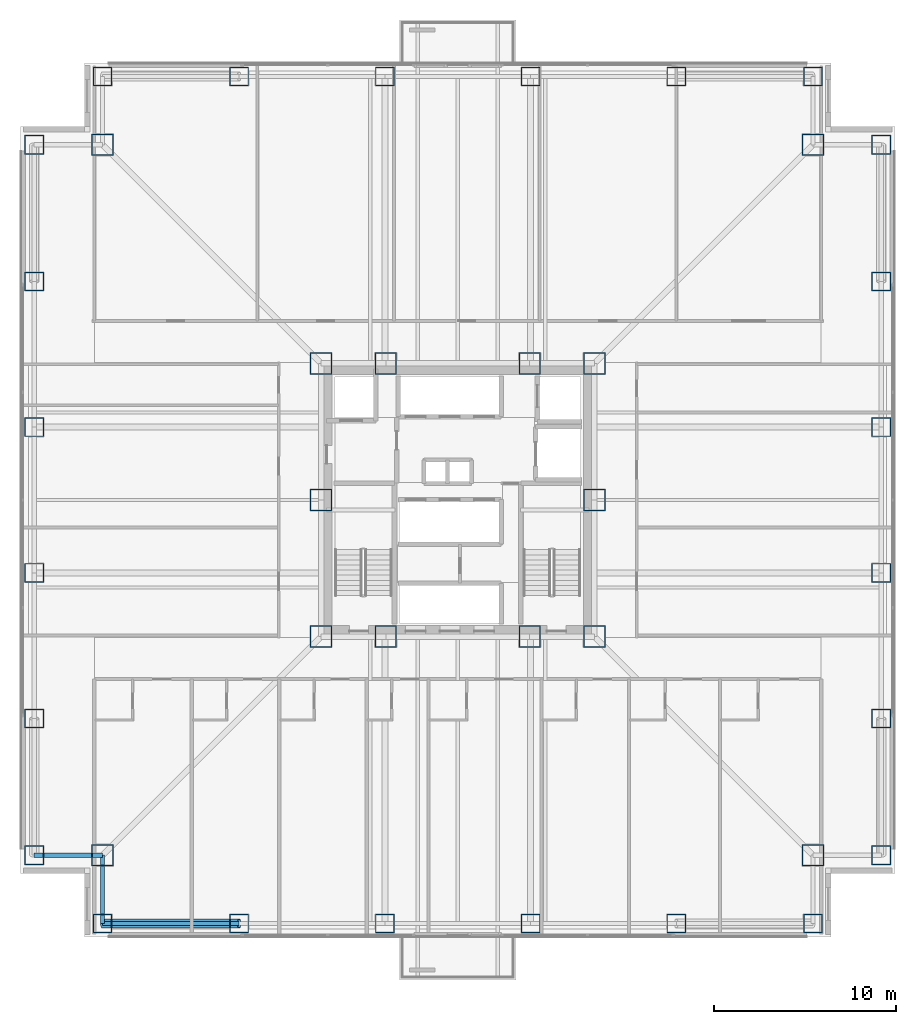
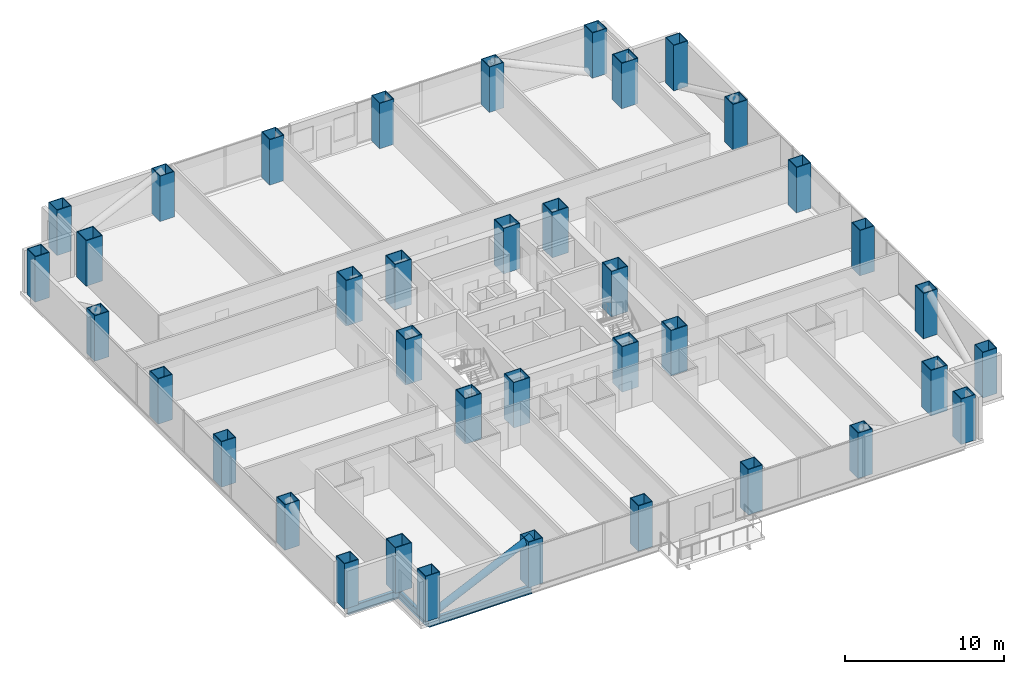
# One storey, part 1 of 16: 38 columns, 3 beams, 1 member.
"""IFC4 building model written with IfcOpenShell, lengths in metres."""

from ifc_helpers import new_model, si_unit, direction, frame, origin, origin_2d, place, context, subcontext, project, spatial, hollow_rectangle, hollow_circle, i_section, extrude, material, material_profile, profile_set, type_object, element, save


model = new_model("IFC4")

# Units and contexts
model_context = context("Model", 3, precision=1e-05, world=origin(), true_north=direction((0.0, 1.0)))
body_context = subcontext(model_context, "Body", "Model", "MODEL_VIEW")
ifc_project = project(units=[si_unit("LENGTHUNIT", "METRE"), si_unit("AREAUNIT", "SQUARE_METRE"), si_unit("VOLUMEUNIT", "CUBIC_METRE"), si_unit("PLANEANGLEUNIT", "RADIAN"), si_unit("MASSUNIT", "GRAM", prefix="KILO")], contexts=[model_context])

# Site, building, storey
site_placement = place(None, origin())
site = spatial("IfcSite", under=ifc_project, at=site_placement, CompositionType="ELEMENT")
building_placement = place(site_placement, origin())
building = spatial("IfcBuilding", under=site, at=building_placement, Name="Trevonay Congress Spire", CompositionType="ELEMENT")
storey_placement = place(building_placement, frame((0.0, 0.0, 65.5)))
storey = spatial("IfcBuildingStorey", under=building, at=storey_placement, Name="L16", CompositionType="ELEMENT", Elevation=65.5)

# Columns
ifc_material = material(Name="Steel ASTM A572 Grade 50", Category="steel")
ifc_material_profile_1 = material_profile(ifc_material, hollow_rectangle(XDim=1.199951171875, YDim=1.199951171875, WallThickness=0.054931640625, at=origin_2d()), Name="BOX 1200x1200x55")
ifc_profile_set_1 = profile_set([ifc_material_profile_1], Name="Steel ASTM A572 Grade 50")
column_type_1 = type_object("IfcColumnType", Name="COL-CORE-BOX1200", PredefinedType="COLUMN", material=ifc_profile_set_1)
for number, where, z_axis, x_axis, name in (
    (1, (-7.5, -7.5, 0.0), (0.0, 0.0, 1.0), (1.0, 0.0, 0.0), "L16 column C02 at CC-SW"),
    (2, (-3.949951171875, -7.5, 0.0), (0.0, 0.0, 1.0), (1.0, 0.0, 0.0), "L16 column C02 at CC-SMW"),
    (3, (3.949951171875, -7.5, 0.0), (0.0, 0.0, 1.0), (1.0, 0.0, 0.0), "L16 column C02 at CC-SME"),
    (4, (7.5, -7.5, 0.0), (0.0, 0.0, 1.0), (1.0, 0.0, 0.0), "L16 column C02 at CC-SE"),
    (5, (7.5, 0.0, 0.0), (0.0, 0.0, 1.0), (1.0, 0.0, 0.0), "L16 column C02 at CC-E"),
    (6, (7.5, 7.5, 0.0), (0.0, 0.0, 1.0), (1.0, 0.0, 0.0), "L16 column C02 at CC-NE"),
    (7, (3.949951171875, 7.5, 0.0), (0.0, 0.0, 1.0), (1.0, 0.0, 0.0), "L16 column C02 at CC-NME"),
    (8, (-3.949951171875, 7.5, 0.0), (0.0, 0.0, 1.0), (1.0, 0.0, 0.0), "L16 column C02 at CC-NMW"),
    (9, (-7.5, 7.5, 0.0), (0.0, 0.0, 1.0), (1.0, 0.0, 0.0), "L16 column C02 at CC-NW"),
    (10, (-7.5, 0.0, 0.0), (0.0, 0.0, 1.0), (1.0, 0.0, 0.0), "L16 column C02 at CC-W"),
):
    element("IfcColumn", number, at=place(storey_placement, frame(where, z_axis=z_axis, x_axis=x_axis)), inside=storey, type_object=column_type_1, Name=name, PredefinedType="COLUMN", context=body_context, shape_type="SweptSolid", body=[
        extrude(hollow_rectangle(XDim=1.199951171875, YDim=1.199951171875, WallThickness=0.054931640625, at=origin_2d()), origin(), (0.0, 0.0, 1.0), 3.5),
    ])
ifc_material_profile_2 = material_profile(ifc_material, hollow_rectangle(XDim=1.199951171875, YDim=1.199951171875, WallThickness=0.054931640625, at=origin_2d()), Name="BOX 1200x1200x55")
ifc_profile_set_2 = profile_set([ifc_material_profile_2], Name="Steel ASTM A572 Grade 50")
column_type_2 = type_object("IfcColumnType", Name="COL-NOTCH-BOX1200", PredefinedType="COLUMN", material=ifc_profile_set_2)
for number, where, z_axis, x_axis, name in (
    (11, (-19.5, -19.5, 0.0), (0.0, 0.0, 1.0), (1.0, 0.0, 0.0), "L16 column C19 at NC-SW"),
    (12, (19.5, -19.5, 0.0), (0.0, 0.0, 1.0), (1.0, 0.0, 0.0), "L16 column C19 at NC-SE"),
    (13, (19.5, 19.5, 0.0), (0.0, 0.0, 1.0), (1.0, 0.0, 0.0), "L16 column C19 at NC-NE"),
    (14, (-19.5, 19.5, 0.0), (0.0, 0.0, 1.0), (1.0, 0.0, 0.0), "L16 column C19 at NC-NW"),
):
    element("IfcColumn", number, at=place(storey_placement, frame(where, z_axis=z_axis, x_axis=x_axis)), inside=storey, type_object=column_type_2, Name=name, PredefinedType="COLUMN", context=body_context, shape_type="SweptSolid", body=[
        extrude(hollow_rectangle(XDim=1.199951171875, YDim=1.199951171875, WallThickness=0.054931640625, at=origin_2d()), origin(), (0.0, 0.0, 1.0), 3.5),
    ])
ifc_material_profile_3 = material_profile(ifc_material, hollow_rectangle(XDim=1.050048828125, YDim=1.050048828125, WallThickness=0.050048828125, at=origin_2d()), Name="BOX 1050x1050x50")
ifc_profile_set_3 = profile_set([ifc_material_profile_3], Name="Steel ASTM A572 Grade 50")
column_type_3 = type_object("IfcColumnType", Name="COL-TUBE-BOX1050", PredefinedType="COLUMN", material=ifc_profile_set_3)
for number, where, z_axis, x_axis, name in (
    (15, (-19.5, -23.25, 0.0), (0.0, 0.0, 1.0), (1.0, 0.0, 0.0), "L16 column C14 at TS-1"),
    (16, (-19.5, 23.25, 0.0), (0.0, 0.0, 1.0), (1.0, 0.0, 0.0), "L16 column C14 at TN-1"),
    (17, (-23.25, -19.5, 0.0), (0.0, 0.0, 1.0), (1.0, 0.0, 0.0), "L16 column C14 at TW-1"),
    (18, (23.25, -19.5, 0.0), (0.0, 0.0, 1.0), (1.0, 0.0, 0.0), "L16 column C14 at TE-1"),
    (19, (-12.0, -23.25, 0.0), (0.0, 0.0, 1.0), (1.0, 0.0, 0.0), "L16 column C14 at TS-2"),
    (20, (-12.0, 23.25, 0.0), (0.0, 0.0, 1.0), (1.0, 0.0, 0.0), "L16 column C14 at TN-2"),
    (21, (-23.25, -12.0, 0.0), (0.0, 0.0, 1.0), (1.0, 0.0, 0.0), "L16 column C14 at TW-2"),
    (22, (23.25, -12.0, 0.0), (0.0, 0.0, 1.0), (1.0, 0.0, 0.0), "L16 column C14 at TE-2"),
    (23, (-4.0, -23.25, 0.0), (0.0, 0.0, 1.0), (1.0, 0.0, 0.0), "L16 column C14 at TS-3"),
    (24, (-4.0, 23.25, 0.0), (0.0, 0.0, 1.0), (1.0, 0.0, 0.0), "L16 column C14 at TN-3"),
    (25, (-23.25, -4.0, 0.0), (0.0, 0.0, 1.0), (1.0, 0.0, 0.0), "L16 column C14 at TW-3"),
    (26, (23.25, -4.0, 0.0), (0.0, 0.0, 1.0), (1.0, 0.0, 0.0), "L16 column C14 at TE-3"),
    (27, (4.0, -23.25, 0.0), (0.0, 0.0, 1.0), (1.0, 0.0, 0.0), "L16 column C14 at TS-4"),
    (28, (4.0, 23.25, 0.0), (0.0, 0.0, 1.0), (1.0, 0.0, 0.0), "L16 column C14 at TN-4"),
    (29, (-23.25, 4.0, 0.0), (0.0, 0.0, 1.0), (1.0, 0.0, 0.0), "L16 column C14 at TW-4"),
    (30, (23.25, 4.0, 0.0), (0.0, 0.0, 1.0), (1.0, 0.0, 0.0), "L16 column C14 at TE-4"),
    (31, (12.0, -23.25, 0.0), (0.0, 0.0, 1.0), (1.0, 0.0, 0.0), "L16 column C14 at TS-5"),
    (32, (12.0, 23.25, 0.0), (0.0, 0.0, 1.0), (1.0, 0.0, 0.0), "L16 column C14 at TN-5"),
    (33, (-23.25, 12.0, 0.0), (0.0, 0.0, 1.0), (1.0, 0.0, 0.0), "L16 column C14 at TW-5"),
    (34, (23.25, 12.0, 0.0), (0.0, 0.0, 1.0), (1.0, 0.0, 0.0), "L16 column C14 at TE-5"),
    (35, (19.5, -23.25, 0.0), (0.0, 0.0, 1.0), (1.0, 0.0, 0.0), "L16 column C14 at TS-6"),
    (36, (19.5, 23.25, 0.0), (0.0, 0.0, 1.0), (1.0, 0.0, 0.0), "L16 column C14 at TN-6"),
    (37, (-23.25, 19.5, 0.0), (0.0, 0.0, 1.0), (1.0, 0.0, 0.0), "L16 column C14 at TW-6"),
    (38, (23.25, 19.5, 0.0), (0.0, 0.0, 1.0), (1.0, 0.0, 0.0), "L16 column C14 at TE-6"),
):
    element("IfcColumn", number, at=place(storey_placement, frame(where, z_axis=z_axis, x_axis=x_axis)), inside=storey, type_object=column_type_3, Name=name, PredefinedType="COLUMN", context=body_context, shape_type="SweptSolid", body=[
        extrude(hollow_rectangle(XDim=1.050048828125, YDim=1.050048828125, WallThickness=0.050048828125, at=origin_2d()), origin(), (0.0, 0.0, 1.0), 3.5),
    ])

# Beams
ifc_material_profile_4 = material_profile(ifc_material, i_section(OverallWidth=0.22998046875, OverallDepth=0.616943359375, WebThickness=0.01318359375, FlangeThickness=0.022216796875, FilletRadius=0.01611328125, at=origin_2d()), Name="W610x140")
ifc_profile_set_4 = profile_set([ifc_material_profile_4], Name="Steel ASTM A572 Grade 50")
beam_type = type_object("IfcBeamType", Name="BM-RING-W610X140", PredefinedType="BEAM", material=ifc_profile_set_4)
beam_placement = place(storey_placement, frame((-19.5, -23.25, -0.55859375), z_axis=(1.0, 0.0, 0.0), x_axis=(0.0, 1.0, 0.0)))
element("IfcBeam", 39, at=beam_placement, inside=storey, type_object=beam_type, Name="L16 structural beam BM-L16-PS1", PredefinedType="BEAM", context=body_context, shape_type="SweptSolid", body=[
    extrude(i_section(OverallWidth=0.22998046875, OverallDepth=0.616943359375, WebThickness=0.01318359375, FlangeThickness=0.022216796875, FilletRadius=0.01611328125, at=origin_2d()), origin(), (0.0, 0.0, 1.0), 7.5),
])
for number, where, z_axis, x_axis, name in (
    (40, (-19.5, -23.25, -0.55859375), (0.0, 1.0, 0.0), (-1.0, 0.0, 0.0), "L16 structural beam BM-L16-N1SW"),
    (41, (-23.25, -19.5, -0.55859375), (1.0, 0.0, 0.0), (0.0, 1.0, 0.0), "L16 structural beam BM-L16-N2SW"),
):
    element("IfcBeam", number, at=place(storey_placement, frame(where, z_axis=z_axis, x_axis=x_axis)), inside=storey, type_object=beam_type, Name=name, PredefinedType="BEAM", context=body_context, shape_type="SweptSolid", body=[
        extrude(i_section(OverallWidth=0.22998046875, OverallDepth=0.616943359375, WebThickness=0.01318359375, FlangeThickness=0.022216796875, FilletRadius=0.01611328125, at=origin_2d()), origin(), (0.0, 0.0, 1.0), 3.75),
    ])

# Member
ifc_material_profile_5 = material_profile(ifc_material, hollow_circle(Radius=0.25390625, WallThickness=0.02490234375, at=origin_2d()), Name="CHS 508x25")
ifc_profile_set_5 = profile_set([ifc_material_profile_5], Name="Steel ASTM A572 Grade 50")
member_type = type_object("IfcMemberType", Name="MBR-TUBE-CHS508", PredefinedType="BRACE", material=ifc_profile_set_5)
member_placement = place(storey_placement, frame((-19.5, -23.25, -0.050048828125), z_axis=(0.906183139995, 0.0, 0.422885465331), x_axis=(0.0, 1.0, 0.0)))
element("IfcMember", 42, at=member_placement, inside=storey, type_object=member_type, Name="L16 perimeter braced-tube diagonal S0", PredefinedType="BRACE", context=body_context, shape_type="SweptSolid", body=[
    extrude(hollow_circle(Radius=0.25390625, WallThickness=0.02490234375, at=origin_2d()), origin(), (0.0, 0.0, 1.0), 8.2763671875),
])

save(model, "model.ifc")
